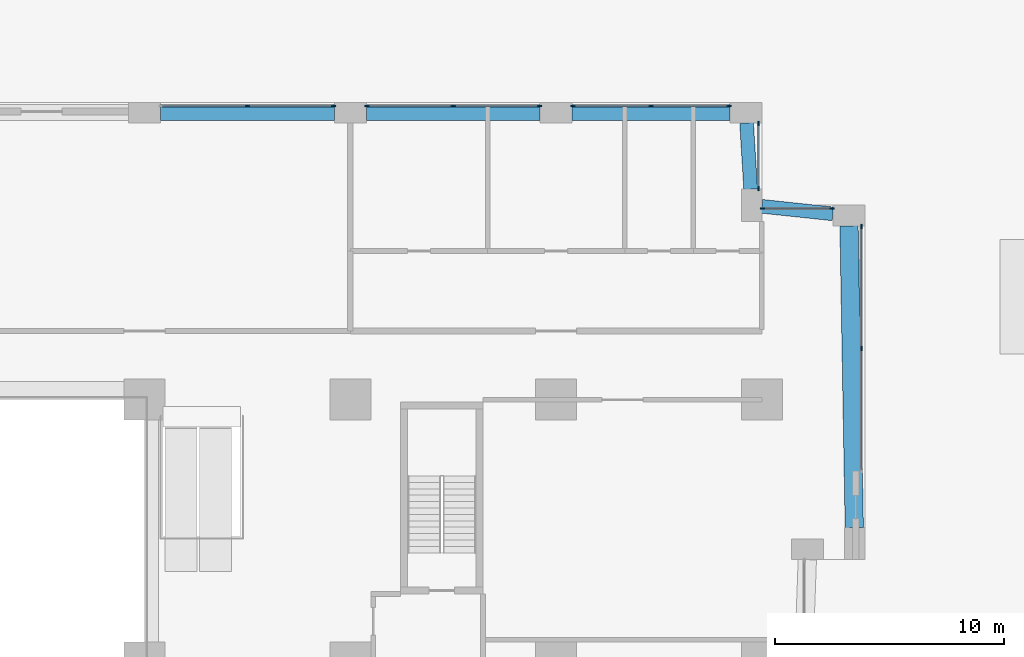
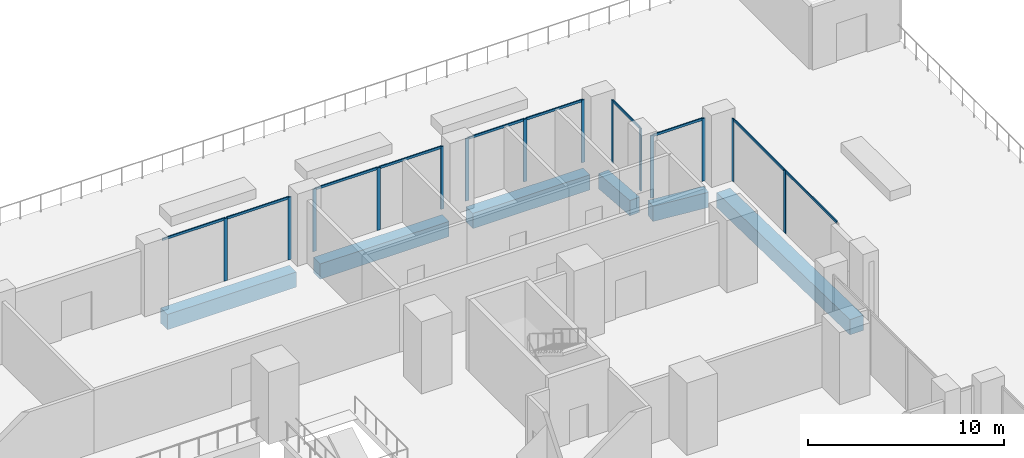
# One storey, part 7 of 19: 24 members, 6 beams, 6 elements without a shape of their own.
"""IFC4 building model written with IfcOpenShell, lengths in metres."""

from ifc_helpers import new_model, si_unit, direction, frame, origin, origin_2d, place, context, subcontext, project, spatial, rectangle, extrude, material, layer, layer_set, material_profile, profile_set, type_object, element, aggregate, save


model = new_model("IFC4")

# Units and contexts
model_context = context("Model", 3, precision=1e-05, world=origin(), true_north=direction((0.0, 1.0)))
body_context = subcontext(model_context, "Body", "Model", "MODEL_VIEW")
ifc_project = project(units=[si_unit("LENGTHUNIT", "METRE"), si_unit("AREAUNIT", "SQUARE_METRE"), si_unit("VOLUMEUNIT", "CUBIC_METRE"), si_unit("PLANEANGLEUNIT", "RADIAN"), si_unit("MASSUNIT", "GRAM", prefix="KILO")], contexts=[model_context])

# Site, building, storey
site_placement = place(None, origin())
site = spatial("IfcSite", under=ifc_project, at=site_placement, CompositionType="ELEMENT")
building_placement = place(site_placement, origin())
building = spatial("IfcBuilding", under=site, at=building_placement, Name="Brigalow Station Residences", CompositionType="ELEMENT")
storey_placement = place(building_placement, frame((0.0, 0.0, 11.0)))
storey = spatial("IfcBuildingStorey", under=building, at=storey_placement, Name="L02", CompositionType="ELEMENT", Elevation=11.0)

# Beams
ifc_material_1 = material(Name="Concrete C65", Category="concrete")
ifc_material_profile_1 = material_profile(ifc_material_1, rectangle(XDim=0.699951171875, YDim=0.949951171875, at=origin_2d()), Name="RC700x950")
ifc_profile_set_1 = profile_set([ifc_material_profile_1], Name="Concrete C65")
beam_type_1 = type_object("IfcBeamType", Name="EDGE GIRDER 4.5 TO 9.9 M SPAN 700x950 C65", PredefinedType="BEAM", material=ifc_profile_set_1)
beam_1_placement = place(storey_placement, frame((70.60009765625, 48.050048828125, -0.876953125), z_axis=(-1.0, 0.0, 0.0), x_axis=(0.0, -1.0, 0.0)))
element("IfcBeam", 1, at=beam_1_placement, inside=storey, type_object=beam_type_1, Name="FOOTPRINT EDGE GIRDER 12 L02", PredefinedType="BEAM", context=body_context, shape_type="SweptSolid", body=[
    extrude(rectangle(XDim=0.699951171875, YDim=0.949951171875, at=origin_2d()), origin(), (0.0, 0.0, 1.0), 6.900146484375),
])
for number, where, z_axis, x_axis, name in (
    (2, (62.300048828125, 48.050048828125, -0.876953125), (-1.0, 0.0, 0.0), (0.0, -1.0, 0.0), "FOOTPRINT EDGE GIRDER 13 L02"),
    (3, (53.300048828125, 48.050048828125, -0.876953125), (-1.0, 0.0, 0.0), (0.0, -1.0, 0.0), "FOOTPRINT EDGE GIRDER 14 L02"),
):
    element("IfcBeam", number, at=place(storey_placement, frame(where, z_axis=z_axis, x_axis=x_axis)), inside=storey, type_object=beam_type_1, Name=name, PredefinedType="BEAM", context=body_context, shape_type="SweptSolid", body=[
        extrude(rectangle(XDim=0.699951171875, YDim=0.949951171875, at=origin_2d()), origin(), (0.0, 0.0, 1.0), 7.60009765625),
    ])
ifc_material_2 = material(Name="Concrete C65", Category="concrete")
ifc_material_profile_2 = material_profile(ifc_material_2, rectangle(XDim=0.60009765625, YDim=0.949951171875, at=origin_2d()), Name="RC600x950")
ifc_profile_set_2 = profile_set([ifc_material_profile_2], Name="Concrete C65")
beam_type_2 = type_object("IfcBeamType", Name="EDGE GIRDER 600x950 C65", PredefinedType="BEAM", material=ifc_profile_set_2)
beam_2_placement = place(storey_placement, frame((75.10009765625, 43.6240234375, -0.876953125), z_axis=(-0.994437011556, 0.105332948539, 0.0), x_axis=(-0.105332948539, -0.994437011556, 0.0)))
element("IfcBeam", 4, at=beam_2_placement, inside=storey, type_object=beam_type_2, Name="FOOTPRINT EDGE GIRDER 10 L02", PredefinedType="BEAM", context=body_context, shape_type="SweptSolid", body=[
    extrude(rectangle(XDim=0.60009765625, YDim=0.949951171875, at=origin_2d()), origin(), (0.0, 0.0, 1.0), 3.117431640625),
])
beam_3_placement = place(storey_placement, frame((71.5068359375, 44.699951171875, -0.876953125), z_axis=(-0.061588391034, 0.998101633147, 0.0), x_axis=(-0.998101633147, -0.061588391034, 0.0)))
element("IfcBeam", 5, at=beam_3_placement, inside=storey, type_object=beam_type_2, Name="FOOTPRINT EDGE GIRDER 11 L02", PredefinedType="BEAM", context=body_context, shape_type="SweptSolid", body=[
    extrude(rectangle(XDim=0.60009765625, YDim=0.949951171875, at=origin_2d()), origin(), (0.0, 0.0, 1.0), 2.90576171875),
])
ifc_material_3 = material(Name="Concrete C65", Category="concrete")
ifc_material_profile_3 = material_profile(ifc_material_3, rectangle(XDim=0.800048828125, YDim=0.949951171875, at=origin_2d()), Name="RC800x950")
ifc_profile_set_3 = profile_set([ifc_material_profile_3], Name="Concrete C65")
beam_type_3 = type_object("IfcBeamType", Name="EDGE GIRDER OVER 9.9 M SPAN 800x950 C65", PredefinedType="BEAM", material=ifc_profile_set_3)
beam_4_placement = place(storey_placement, frame((76.037841796875, 29.89990234375, -0.876953125), z_axis=(-0.01741986135, 0.999848262703, 0.0), x_axis=(-0.999848262703, -0.01741986135, 0.0)))
element("IfcBeam", 6, at=beam_4_placement, inside=storey, type_object=beam_type_3, Name="FOOTPRINT EDGE GIRDER 9 L02", PredefinedType="BEAM", context=body_context, shape_type="SweptSolid", body=[
    extrude(rectangle(XDim=0.800048828125, YDim=0.949951171875, at=origin_2d()), origin(), (0.0, 0.0, 1.0), 13.2021484375),
])

# Curtain wall, members
ifc_material_4 = material(Name="Aluminium", Category="aluminium")
ifc_layer = layer(ifc_material_4, 0.199951171875)
ifc_layer_set = layer_set([ifc_layer], Name="PODIUM UNITISED GLAZING CURTAIN WALL")
curtain_wall_type = type_object("IfcCurtainWallType", Name="PODIUM UNITISED GLAZING CURTAIN WALL", PredefinedType="NOTDEFINED", material=ifc_layer_set)
curtain_wall_1_placement = place(storey_placement, origin())
curtain_wall_1 = element("IfcCurtainWall", 7, at=curtain_wall_1_placement, inside=storey, type_object=curtain_wall_type, Name="L02/cw/podium-W-L02-19-9", PredefinedType="NOTDEFINED")
ifc_material_5 = material(Name="Aluminium", Category="aluminium")
ifc_material_profile_4 = material_profile(ifc_material_5, rectangle(XDim=0.06494140625, YDim=0.199951171875, at=origin_2d()), Name="PODIUM UNITISED GLAZING MULLION 65x200")
ifc_profile_set_4 = profile_set([ifc_material_profile_4], Name="Aluminium")
member_type_1 = type_object("IfcMemberType", Name="PODIUM UNITISED GLAZING MULLION 65x200", PredefinedType="MULLION", material=ifc_profile_set_4)
member_1_placement = place(storey_placement, frame((76.35009765625, 37.737548828125, 0.0), z_axis=(0.0, 0.0, 1.0), x_axis=(-1.0, 0.0, 0.0)))
member_1 = element("IfcMember", 8, at=member_1_placement, type_object=member_type_1, Name="L02/cw/podium-W-L02-19-9/M01", PredefinedType="MULLION", context=body_context, shape_type="SweptSolid", body=[
    extrude(rectangle(XDim=0.06494140625, YDim=0.199951171875, at=origin_2d()), origin(), (0.0, 0.0, 1.0), 3.89990234375),
])
member_2_placement = place(storey_placement, frame((76.35009765625, 43.0673828125, 0.0), z_axis=(0.0, 0.0, 1.0), x_axis=(-1.0, 0.0, 0.0)))
member_2 = element("IfcMember", 9, at=member_2_placement, type_object=member_type_1, Name="L02/cw/podium-W-L02-19-9/M02", PredefinedType="MULLION", context=body_context, shape_type="SweptSolid", body=[
    extrude(rectangle(XDim=0.06494140625, YDim=0.199951171875, at=origin_2d()), origin(), (0.0, 0.0, 1.0), 3.89990234375),
])

curtain_wall_2_placement = place(storey_placement, origin())
curtain_wall_2 = element("IfcCurtainWall", 10, at=curtain_wall_2_placement, inside=storey, type_object=curtain_wall_type, Name="L02/cw/podium-W-L02-23-10", PredefinedType="NOTDEFINED")
member_3_placement = place(storey_placement, frame((75.0673828125, 43.85009765625, 0.0), z_axis=(0.0, 0.0, 1.0), x_axis=(0.0, -1.0, 0.0)))
member_3 = element("IfcMember", 11, at=member_3_placement, type_object=member_type_1, Name="L02/cw/podium-W-L02-23-10/M00", PredefinedType="MULLION", context=body_context, shape_type="SweptSolid", body=[
    extrude(rectangle(XDim=0.06494140625, YDim=0.199951171875, at=origin_2d()), origin(), (0.0, 0.0, 1.0), 3.89990234375),
])
member_4_placement = place(storey_placement, frame((72.032470703125, 43.85009765625, 0.0), z_axis=(0.0, 0.0, 1.0), x_axis=(0.0, -1.0, 0.0)))
member_4 = element("IfcMember", 12, at=member_4_placement, type_object=member_type_1, Name="L02/cw/podium-W-L02-23-10/M01", PredefinedType="MULLION", context=body_context, shape_type="SweptSolid", body=[
    extrude(rectangle(XDim=0.06494140625, YDim=0.199951171875, at=origin_2d()), origin(), (0.0, 0.0, 1.0), 3.89990234375),
])

curtain_wall_3_placement = place(storey_placement, origin())
curtain_wall_3 = element("IfcCurtainWall", 13, at=curtain_wall_3_placement, inside=storey, type_object=curtain_wall_type, Name="L02/cw/podium-W-L02-24-11", PredefinedType="NOTDEFINED")
member_5_placement = place(storey_placement, frame((71.85009765625, 44.732421875, 0.0), z_axis=(0.0, 0.0, 1.0), x_axis=(-1.0, 0.0, 0.0)))
member_5 = element("IfcMember", 14, at=member_5_placement, type_object=member_type_1, Name="L02/cw/podium-W-L02-24-11/M00", PredefinedType="MULLION", context=body_context, shape_type="SweptSolid", body=[
    extrude(rectangle(XDim=0.06494140625, YDim=0.199951171875, at=origin_2d()), origin(), (0.0, 0.0, 1.0), 3.89990234375),
])
member_6_placement = place(storey_placement, frame((71.85009765625, 47.5673828125, 0.0), z_axis=(0.0, 0.0, 1.0), x_axis=(-1.0, 0.0, 0.0)))
member_6 = element("IfcMember", 15, at=member_6_placement, type_object=member_type_1, Name="L02/cw/podium-W-L02-24-11/M01", PredefinedType="MULLION", context=body_context, shape_type="SweptSolid", body=[
    extrude(rectangle(XDim=0.06494140625, YDim=0.199951171875, at=origin_2d()), origin(), (0.0, 0.0, 1.0), 3.89990234375),
])

curtain_wall_4_placement = place(storey_placement, origin())
curtain_wall_4 = element("IfcCurtainWall", 16, at=curtain_wall_4_placement, inside=storey, type_object=curtain_wall_type, Name="L02/cw/podium-W-L02-25-12", PredefinedType="NOTDEFINED")
member_7_placement = place(storey_placement, frame((70.5673828125, 48.35009765625, 0.0), z_axis=(0.0, 0.0, 1.0), x_axis=(0.0, -1.0, 0.0)))
member_7 = element("IfcMember", 17, at=member_7_placement, type_object=member_type_1, Name="L02/cw/podium-W-L02-25-12/M00", PredefinedType="MULLION", context=body_context, shape_type="SweptSolid", body=[
    extrude(rectangle(XDim=0.06494140625, YDim=0.199951171875, at=origin_2d()), origin(), (0.0, 0.0, 1.0), 3.89990234375),
])
member_8_placement = place(storey_placement, frame((67.14990234375, 48.35009765625, 0.0), z_axis=(0.0, 0.0, 1.0), x_axis=(0.0, -1.0, 0.0)))
member_8 = element("IfcMember", 18, at=member_8_placement, type_object=member_type_1, Name="L02/cw/podium-W-L02-25-12/M01", PredefinedType="MULLION", context=body_context, shape_type="SweptSolid", body=[
    extrude(rectangle(XDim=0.06494140625, YDim=0.199951171875, at=origin_2d()), origin(), (0.0, 0.0, 1.0), 3.89990234375),
])
member_9_placement = place(storey_placement, frame((63.732421875, 48.35009765625, 0.0), z_axis=(0.0, 0.0, 1.0), x_axis=(0.0, -1.0, 0.0)))
member_9 = element("IfcMember", 19, at=member_9_placement, type_object=member_type_1, Name="L02/cw/podium-W-L02-25-12/M02", PredefinedType="MULLION", context=body_context, shape_type="SweptSolid", body=[
    extrude(rectangle(XDim=0.06494140625, YDim=0.199951171875, at=origin_2d()), origin(), (0.0, 0.0, 1.0), 3.89990234375),
])

curtain_wall_5_placement = place(storey_placement, origin())
curtain_wall_5 = element("IfcCurtainWall", 20, at=curtain_wall_5_placement, inside=storey, type_object=curtain_wall_type, Name="L02/cw/podium-W-L02-25-13", PredefinedType="NOTDEFINED")
member_10_placement = place(storey_placement, frame((62.267578125, 48.35009765625, 0.0), z_axis=(0.0, 0.0, 1.0), x_axis=(0.0, -1.0, 0.0)))
member_10 = element("IfcMember", 21, at=member_10_placement, type_object=member_type_1, Name="L02/cw/podium-W-L02-25-13/M00", PredefinedType="MULLION", context=body_context, shape_type="SweptSolid", body=[
    extrude(rectangle(XDim=0.06494140625, YDim=0.199951171875, at=origin_2d()), origin(), (0.0, 0.0, 1.0), 3.89990234375),
])
member_11_placement = place(storey_placement, frame((58.5, 48.35009765625, 0.0), z_axis=(0.0, 0.0, 1.0), x_axis=(0.0, -1.0, 0.0)))
member_11 = element("IfcMember", 22, at=member_11_placement, type_object=member_type_1, Name="L02/cw/podium-W-L02-25-13/M01", PredefinedType="MULLION", context=body_context, shape_type="SweptSolid", body=[
    extrude(rectangle(XDim=0.06494140625, YDim=0.199951171875, at=origin_2d()), origin(), (0.0, 0.0, 1.0), 3.89990234375),
])
member_12_placement = place(storey_placement, frame((54.732421875, 48.35009765625, 0.0), z_axis=(0.0, 0.0, 1.0), x_axis=(0.0, -1.0, 0.0)))
member_12 = element("IfcMember", 23, at=member_12_placement, type_object=member_type_1, Name="L02/cw/podium-W-L02-25-13/M02", PredefinedType="MULLION", context=body_context, shape_type="SweptSolid", body=[
    extrude(rectangle(XDim=0.06494140625, YDim=0.199951171875, at=origin_2d()), origin(), (0.0, 0.0, 1.0), 3.89990234375),
])

curtain_wall_6_placement = place(storey_placement, origin())
curtain_wall_6 = element("IfcCurtainWall", 24, at=curtain_wall_6_placement, inside=storey, type_object=curtain_wall_type, Name="L02/cw/podium-W-L02-25-14", PredefinedType="NOTDEFINED")
member_13_placement = place(storey_placement, frame((53.267578125, 48.35009765625, 0.0), z_axis=(0.0, 0.0, 1.0), x_axis=(0.0, -1.0, 0.0)))
member_13 = element("IfcMember", 25, at=member_13_placement, type_object=member_type_1, Name="L02/cw/podium-W-L02-25-14/M00", PredefinedType="MULLION", context=body_context, shape_type="SweptSolid", body=[
    extrude(rectangle(XDim=0.06494140625, YDim=0.199951171875, at=origin_2d()), origin(), (0.0, 0.0, 1.0), 3.89990234375),
])
member_14_placement = place(storey_placement, frame((49.5, 48.35009765625, 0.0), z_axis=(0.0, 0.0, 1.0), x_axis=(0.0, -1.0, 0.0)))
member_14 = element("IfcMember", 26, at=member_14_placement, type_object=member_type_1, Name="L02/cw/podium-W-L02-25-14/M01", PredefinedType="MULLION", context=body_context, shape_type="SweptSolid", body=[
    extrude(rectangle(XDim=0.06494140625, YDim=0.199951171875, at=origin_2d()), origin(), (0.0, 0.0, 1.0), 3.89990234375),
])

# Member
ifc_material_6 = material(Name="Aluminium", Category="aluminium")
ifc_material_profile_5 = material_profile(ifc_material_6, rectangle(XDim=0.06494140625, YDim=0.14990234375, at=origin_2d()), Name="PODIUM UNITISED GLAZING TRANSOM 65x150")
ifc_profile_set_5 = profile_set([ifc_material_profile_5], Name="Aluminium")
member_type_2 = type_object("IfcMemberType", Name="PODIUM UNITISED GLAZING TRANSOM 65x150", PredefinedType="USERDEFINED", material=ifc_profile_set_5)
member_15_placement = place(storey_placement, frame((76.35009765625, 32.43994140625, 3.867431640625), z_axis=(0.0, 1.0, 0.0), x_axis=(-1.0, 0.0, 0.0)))
member_15 = element("IfcMember", 27, at=member_15_placement, type_object=member_type_2, Name="L02/cw/podium-W-L02-19-9/T00-00", ObjectType="TRANSOM", PredefinedType="USERDEFINED", context=body_context, shape_type="SweptSolid", body=[
    extrude(rectangle(XDim=0.06494140625, YDim=0.14990234375, at=origin_2d()), origin(), (0.0, 0.0, 1.0), 5.26513671875),
])

member_16_placement = place(storey_placement, frame((76.35009765625, 37.77001953125, 3.867431640625), z_axis=(0.0, 1.0, 0.0), x_axis=(-1.0, 0.0, 0.0)))
member_16 = element("IfcMember", 28, at=member_16_placement, type_object=member_type_2, Name="L02/cw/podium-W-L02-19-9/T01-00", ObjectType="TRANSOM", PredefinedType="USERDEFINED", context=body_context, shape_type="SweptSolid", body=[
    extrude(rectangle(XDim=0.06494140625, YDim=0.14990234375, at=origin_2d()), origin(), (0.0, 0.0, 1.0), 5.264892578125),
])

aggregate(curtain_wall_1, [member_1, member_2, member_15, member_16])

member_17_placement = place(storey_placement, frame((75.034912109375, 43.85009765625, 3.867431640625), z_axis=(-1.0, 0.0, 0.0), x_axis=(0.0, -1.0, 0.0)))
member_17 = element("IfcMember", 29, at=member_17_placement, type_object=member_type_2, Name="L02/cw/podium-W-L02-23-10/T00-00", ObjectType="TRANSOM", PredefinedType="USERDEFINED", context=body_context, shape_type="SweptSolid", body=[
    extrude(rectangle(XDim=0.06494140625, YDim=0.14990234375, at=origin_2d()), origin(), (0.0, 0.0, 1.0), 2.969970703125),
])

aggregate(curtain_wall_2, [member_3, member_4, member_17])

member_18_placement = place(storey_placement, frame((71.85009765625, 44.764892578125, 3.867431640625), z_axis=(0.0, 1.0, 0.0), x_axis=(-1.0, 0.0, 0.0)))
member_18 = element("IfcMember", 30, at=member_18_placement, type_object=member_type_2, Name="L02/cw/podium-W-L02-24-11/T00-00", ObjectType="TRANSOM", PredefinedType="USERDEFINED", context=body_context, shape_type="SweptSolid", body=[
    extrude(rectangle(XDim=0.06494140625, YDim=0.14990234375, at=origin_2d()), origin(), (0.0, 0.0, 1.0), 2.77001953125),
])

aggregate(curtain_wall_3, [member_5, member_6, member_18])

member_19_placement = place(storey_placement, frame((70.534912109375, 48.35009765625, 3.867431640625), z_axis=(-1.0, 0.0, 0.0), x_axis=(0.0, -1.0, 0.0)))
member_19 = element("IfcMember", 31, at=member_19_placement, type_object=member_type_2, Name="L02/cw/podium-W-L02-25-12/T00-00", ObjectType="TRANSOM", PredefinedType="USERDEFINED", context=body_context, shape_type="SweptSolid", body=[
    extrude(rectangle(XDim=0.06494140625, YDim=0.14990234375, at=origin_2d()), origin(), (0.0, 0.0, 1.0), 3.352294921875),
])

member_20_placement = place(storey_placement, frame((67.117431640625, 48.35009765625, 3.867431640625), z_axis=(-1.0, 0.0, 0.0), x_axis=(0.0, -1.0, 0.0)))
member_20 = element("IfcMember", 32, at=member_20_placement, type_object=member_type_2, Name="L02/cw/podium-W-L02-25-12/T01-00", ObjectType="TRANSOM", PredefinedType="USERDEFINED", context=body_context, shape_type="SweptSolid", body=[
    extrude(rectangle(XDim=0.06494140625, YDim=0.14990234375, at=origin_2d()), origin(), (0.0, 0.0, 1.0), 3.3525390625),
])

aggregate(curtain_wall_4, [member_7, member_8, member_9, member_19, member_20])

member_21_placement = place(storey_placement, frame((62.235107421875, 48.35009765625, 3.867431640625), z_axis=(-1.0, 0.0, 0.0), x_axis=(0.0, -1.0, 0.0)))
member_21 = element("IfcMember", 33, at=member_21_placement, type_object=member_type_2, Name="L02/cw/podium-W-L02-25-13/T00-00", ObjectType="TRANSOM", PredefinedType="USERDEFINED", context=body_context, shape_type="SweptSolid", body=[
    extrude(rectangle(XDim=0.06494140625, YDim=0.14990234375, at=origin_2d()), origin(), (0.0, 0.0, 1.0), 3.70263671875),
])

member_22_placement = place(storey_placement, frame((58.467529296875, 48.35009765625, 3.867431640625), z_axis=(-1.0, 0.0, 0.0), x_axis=(0.0, -1.0, 0.0)))
member_22 = element("IfcMember", 34, at=member_22_placement, type_object=member_type_2, Name="L02/cw/podium-W-L02-25-13/T01-00", ObjectType="TRANSOM", PredefinedType="USERDEFINED", context=body_context, shape_type="SweptSolid", body=[
    extrude(rectangle(XDim=0.06494140625, YDim=0.14990234375, at=origin_2d()), origin(), (0.0, 0.0, 1.0), 3.70263671875),
])

aggregate(curtain_wall_5, [member_10, member_11, member_12, member_21, member_22])

member_23_placement = place(storey_placement, frame((53.235107421875, 48.35009765625, 3.867431640625), z_axis=(-1.0, 0.0, 0.0), x_axis=(0.0, -1.0, 0.0)))
member_23 = element("IfcMember", 35, at=member_23_placement, type_object=member_type_2, Name="L02/cw/podium-W-L02-25-14/T00-00", ObjectType="TRANSOM", PredefinedType="USERDEFINED", context=body_context, shape_type="SweptSolid", body=[
    extrude(rectangle(XDim=0.06494140625, YDim=0.14990234375, at=origin_2d()), origin(), (0.0, 0.0, 1.0), 3.70263671875),
])

member_24_placement = place(storey_placement, frame((49.467529296875, 48.35009765625, 3.867431640625), z_axis=(-1.0, 0.0, 0.0), x_axis=(0.0, -1.0, 0.0)))
member_24 = element("IfcMember", 36, at=member_24_placement, type_object=member_type_2, Name="L02/cw/podium-W-L02-25-14/T01-00", ObjectType="TRANSOM", PredefinedType="USERDEFINED", context=body_context, shape_type="SweptSolid", body=[
    extrude(rectangle(XDim=0.06494140625, YDim=0.14990234375, at=origin_2d()), origin(), (0.0, 0.0, 1.0), 3.70263671875),
])

aggregate(curtain_wall_6, [member_13, member_14, member_23, member_24])

save(model, "model.ifc")
